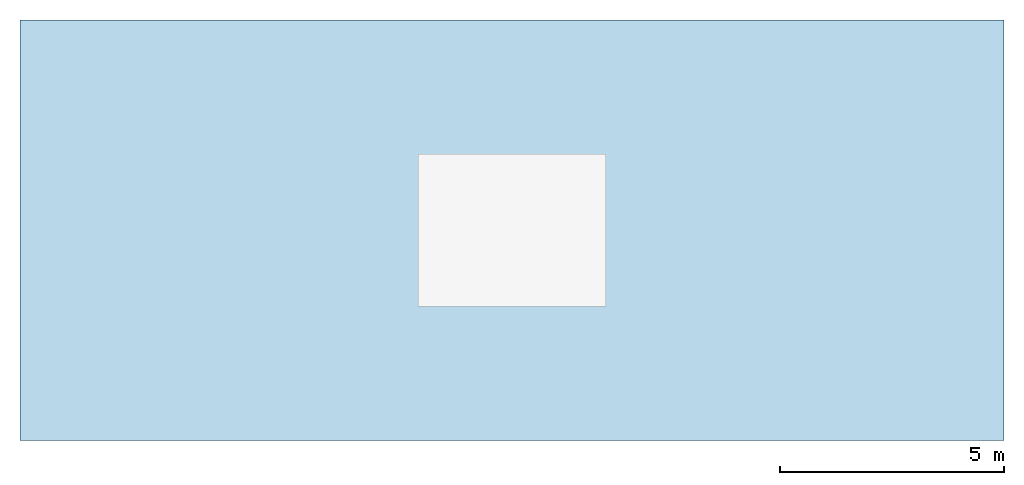
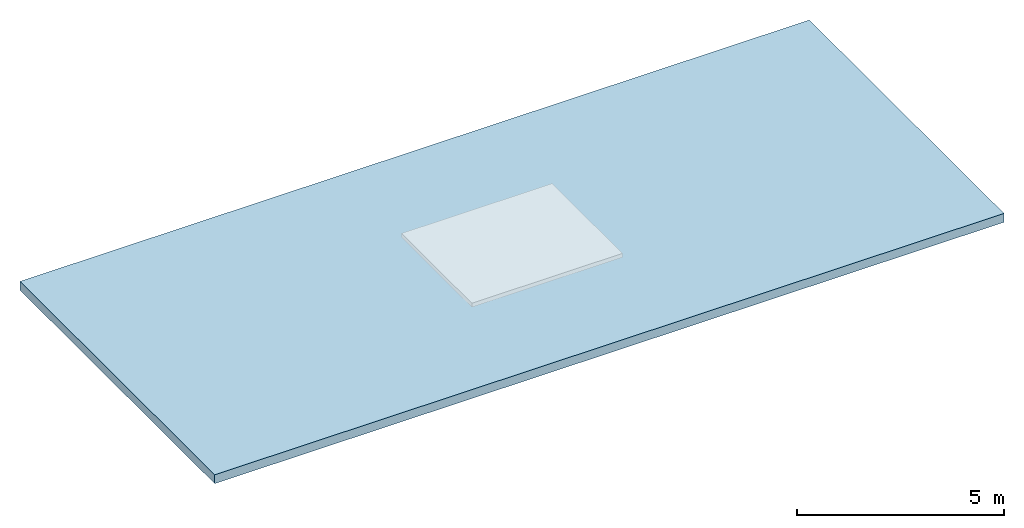
# One storey, part 1 of 2: 1 slab.
"""IFC4 building model written with IfcOpenShell, lengths in metres."""

from ifc_helpers import new_model, si_unit, direction, frame, origin, place, context, subcontext, project, spatial, polyline, outline, extrude, material, layer, layer_set, type_object, element, save


model = new_model("IFC4")

# Units and contexts
model_context = context("Model", 3, precision=1e-05, world=origin(), true_north=direction((0.0, 1.0)))
body_context = subcontext(model_context, "Body", "Model", "MODEL_VIEW")
ifc_project = project(units=[si_unit("LENGTHUNIT", "METRE"), si_unit("AREAUNIT", "SQUARE_METRE"), si_unit("VOLUMEUNIT", "CUBIC_METRE"), si_unit("PLANEANGLEUNIT", "RADIAN"), si_unit("MASSUNIT", "GRAM", prefix="KILO")], contexts=[model_context])

# Site, building, storey
site_placement = place(None, origin())
site = spatial("IfcSite", under=ifc_project, at=site_placement, CompositionType="ELEMENT")
building_placement = place(site_placement, origin())
building = spatial("IfcBuilding", under=site, at=building_placement, Name="Gaonmaruhae Medical Tower", CompositionType="ELEMENT")
storey_placement = place(building_placement, frame((0.0, 0.0, 352.340087890625)))
storey = spatial("IfcBuildingStorey", under=building, at=storey_placement, Name="ROOF", CompositionType="ELEMENT", Elevation=352.340087890625)

# Slab
ifc_material = material(Name="Concrete C40/50", Category="concrete")
ifc_layer = layer(ifc_material, 0.260009765625)
ifc_layer_set = layer_set([ifc_layer], Name="Concrete C40/50")
slab_type = type_object("IfcSlabType", Name="RS-260 Shelter & Setback Roof Slab", PredefinedType="ROOF", material=ifc_layer_set)
slab_placement = place(storey_placement, origin())
element("IfcSlab", 1, at=slab_placement, inside=storey, type_object=slab_type, Name="RF Helipad Dispatch Shelter Roof Slab", PredefinedType="ROOF", context=body_context, shape_type="SweptSolid", body=[
    extrude(outline(polyline([(13.800048828125, 7.60009765625), (35.800048828125, 7.60009765625), (35.800048828125, 17.0), (13.800048828125, 17.0), (13.800048828125, 7.60009765625)])), origin(), (0.0, 0.0, 1.0), 0.260009765625),
])

save(model, "model.ifc")
